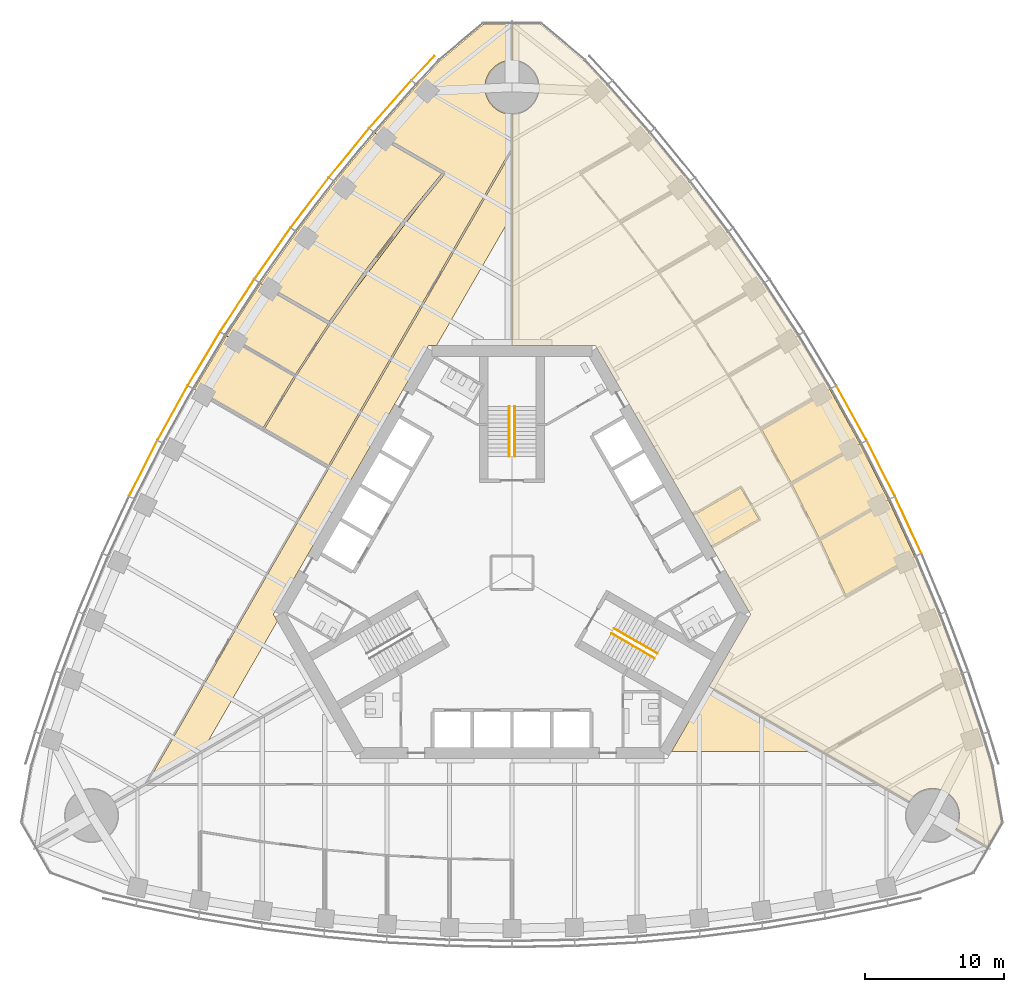
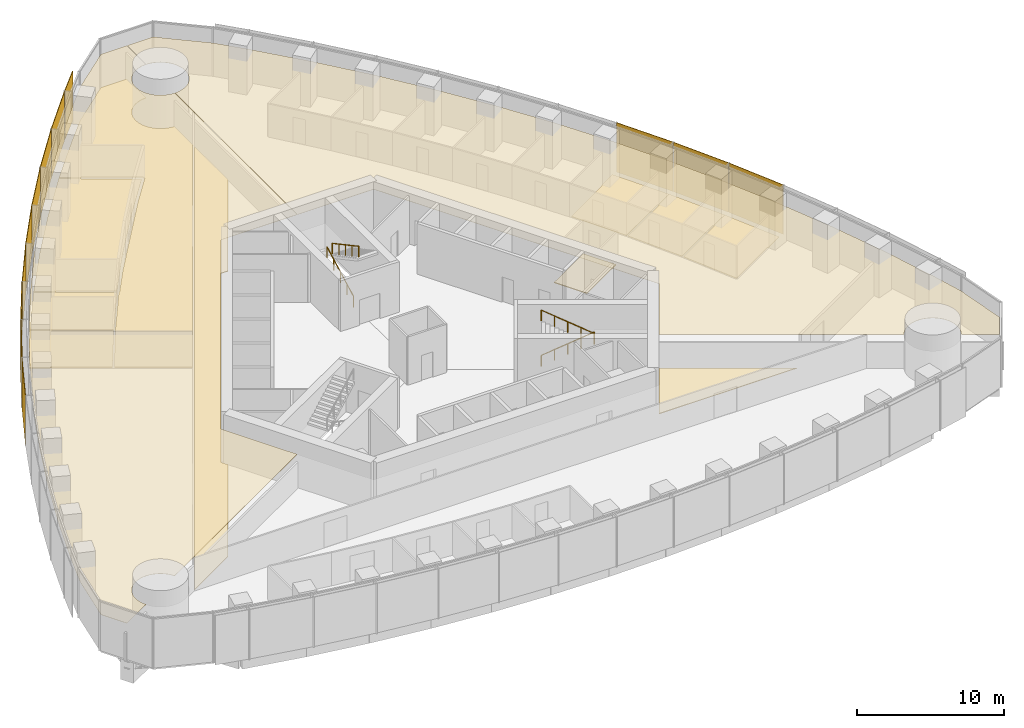
# One storey, part 16 of 19: 12 coverings, 12 shading devices, 4 railings.
"""IFC4 building model written with IfcOpenShell, lengths in metres."""

from ifc_helpers import new_model, si_unit, direction, frame, origin, origin_2d, place, context, subcontext, project, spatial, polyline, rectangle, circle, outline, extrude, material, layer, layer_set, type_object, element, save


model = new_model("IFC4")

# Units and contexts
model_context = context("Model", 3, precision=1e-05, world=origin(), true_north=direction((0.0, 1.0)))
body_context = subcontext(model_context, "Body", "Model", "MODEL_VIEW")
ifc_project = project(units=[si_unit("LENGTHUNIT", "METRE"), si_unit("AREAUNIT", "SQUARE_METRE"), si_unit("VOLUMEUNIT", "CUBIC_METRE"), si_unit("PLANEANGLEUNIT", "RADIAN"), si_unit("MASSUNIT", "GRAM", prefix="KILO")], contexts=[model_context])

# Site, building, storey
site_placement = place(None, origin())
site = spatial("IfcSite", under=ifc_project, at=site_placement, CompositionType="ELEMENT")
building_placement = place(site_placement, origin())
building = spatial("IfcBuilding", under=site, at=building_placement, Name="Trefoil Bronze Tower", CompositionType="ELEMENT")
storey_placement = place(building_placement, frame((0.0, 0.0, 136.699951171875)))
storey = spatial("IfcBuildingStorey", under=building, at=storey_placement, Name="L31", CompositionType="ELEMENT", Elevation=136.699951171875)

# Shading devices
ifc_material_1 = material(Name="Perforated bronze sheet", Category="bronze")
ifc_layer_1 = layer(ifc_material_1, 0.0400390625)
ifc_layer_set_1 = layer_set([ifc_layer_1], Name="Bronze solar screen panel")
shading_device_type = type_object("IfcShadingDeviceType", Name="Bronze solar screen panel", PredefinedType="SHUTTER", material=ifc_layer_set_1)
shading_device_1_placement = place(storey_placement, frame((28.563720703125, 3.444580078125, 0.050048828125), z_axis=(0.0, 0.0, 1.0), x_axis=(-0.419932995871, 0.907555110712, 0.0)))
element("IfcShadingDevice", 1, at=shading_device_1_placement, inside=storey, type_object=shading_device_type, Name="Solar screen CW-A L31 F2 bay 5", PredefinedType="SHUTTER", context=body_context, shape_type="SweptSolid", body=[
    extrude(rectangle(XDim=4.48828125, YDim=0.0400390625, at=origin_2d()), origin(), (0.0, 0.0, 1.0), 4.10009765625),
])
shading_device_2_placement = place(storey_placement, frame((26.5869140625, 7.52197265625, 0.050048828125), z_axis=(0.0, 0.0, 1.0), x_axis=(-0.452448919686, 0.891790320128, 0.0)))
element("IfcShadingDevice", 2, at=shading_device_2_placement, inside=storey, type_object=shading_device_type, Name="Solar screen CW-A L31 F2 bay 6", PredefinedType="SHUTTER", context=body_context, shape_type="SweptSolid", body=[
    extrude(rectangle(XDim=4.4765625, YDim=0.0400390625, at=origin_2d()), origin(), (0.0, 0.0, 1.0), 4.10009765625),
])
shading_device_3_placement = place(storey_placement, frame((24.468505859375, 11.517578125, 0.050048828125), z_axis=(0.0, 0.0, 1.0), x_axis=(-0.484312195836, 0.874895249138, 0.0)))
element("IfcShadingDevice", 3, at=shading_device_3_placement, inside=storey, type_object=shading_device_type, Name="Solar screen CW-A L31 F2 bay 7", PredefinedType="SHUTTER", context=body_context, shape_type="SweptSolid", body=[
    extrude(rectangle(XDim=4.470703125, YDim=0.0400390625, at=origin_2d()), origin(), (0.0, 0.0, 1.0), 4.10009765625),
])
shading_device_4_placement = place(storey_placement, frame((-6.416748046875, 36.383544921875, 0.050048828125), z_axis=(0.0, 0.0, 1.0), x_axis=(-0.682535770759, -0.730852188636, 0.0)))
element("IfcShadingDevice", 4, at=shading_device_4_placement, inside=storey, type_object=shading_device_type, Name="Solar screen CW-A L31 F3 bay 1", PredefinedType="SHUTTER", context=body_context, shape_type="SweptSolid", body=[
    extrude(rectangle(XDim=2.39013671875, YDim=0.0400390625, at=origin_2d()), origin(), (0.0, 0.0, 1.0), 4.10009765625),
])
shading_device_5_placement = place(storey_placement, frame((-8.77197265625, 33.766845703125, 0.050048828125), z_axis=(0.0, 0.0, 1.0), x_axis=(-0.661751405978, -0.749723333428, 0.0)))
element("IfcShadingDevice", 5, at=shading_device_5_placement, inside=storey, type_object=shading_device_type, Name="Solar screen CW-A L31 F3 bay 2", PredefinedType="SHUTTER", context=body_context, shape_type="SweptSolid", body=[
    extrude(rectangle(XDim=4.56103515625, YDim=0.0400390625, at=origin_2d()), origin(), (0.0, 0.0, 1.0), 4.10009765625),
])
shading_device_6_placement = place(storey_placement, frame((-11.7490234375, 30.26708984375, 0.050048828125), z_axis=(0.0, 0.0, 1.0), x_axis=(-0.633839916024, -0.773464259584, 0.0)))
element("IfcShadingDevice", 6, at=shading_device_6_placement, inside=storey, type_object=shading_device_type, Name="Solar screen CW-A L31 F3 bay 3", PredefinedType="SHUTTER", context=body_context, shape_type="SweptSolid", body=[
    extrude(rectangle(XDim=4.5302734375, YDim=0.0400390625, at=origin_2d()), origin(), (0.0, 0.0, 1.0), 4.10009765625),
])
shading_device_7_placement = place(storey_placement, frame((-14.579345703125, 26.6826171875, 0.050048828125), z_axis=(0.0, 0.0, 1.0), x_axis=(-0.605252319983, -0.796033685943, 0.0)))
element("IfcShadingDevice", 7, at=shading_device_7_placement, inside=storey, type_object=shading_device_type, Name="Solar screen CW-A L31 F3 bay 4", PredefinedType="SHUTTER", context=body_context, shape_type="SweptSolid", body=[
    extrude(rectangle(XDim=4.50634765625, YDim=0.0400390625, at=origin_2d()), origin(), (0.0, 0.0, 1.0), 4.10009765625),
])
shading_device_8_placement = place(storey_placement, frame((-17.264892578125, 23.014404296875, 0.050048828125), z_axis=(0.0, 0.0, 1.0), x_axis=(-0.575999283275, -0.817450197667, 0.0)))
element("IfcShadingDevice", 8, at=shading_device_8_placement, inside=storey, type_object=shading_device_type, Name="Solar screen CW-A L31 F3 bay 5", PredefinedType="SHUTTER", context=body_context, shape_type="SweptSolid", body=[
    extrude(rectangle(XDim=4.48828125, YDim=0.0400390625, at=origin_2d()), origin(), (0.0, 0.0, 1.0), 4.10009765625),
])
shading_device_9_placement = place(storey_placement, frame((-19.8076171875, 19.263916015625, 0.050048828125), z_axis=(0.0, 0.0, 1.0), x_axis=(-0.546088612237, -0.837727418427, 0.0)))
element("IfcShadingDevice", 9, at=shading_device_9_placement, inside=storey, type_object=shading_device_type, Name="Solar screen CW-A L31 F3 bay 6", PredefinedType="SHUTTER", context=body_context, shape_type="SweptSolid", body=[
    extrude(rectangle(XDim=4.4765625, YDim=0.0400390625, at=origin_2d()), origin(), (0.0, 0.0, 1.0), 4.10009765625),
])
for number, where, z_axis, x_axis, name in (
    (10, (-22.208740234375, 15.431396484375, 0.050048828125), (0.0, 0.0, 1.0), (-0.515525413486, -0.856874289526, 0.0), "Solar screen CW-A L31 F3 bay 7"),
    (11, (-24.468505859375, 11.517578125, 0.050048828125), (0.0, 0.0, 1.0), (-0.484312195836, -0.874895249138, 0.0), "Solar screen CW-A L31 F3 bay 8"),
):
    element("IfcShadingDevice", number, at=place(storey_placement, frame(where, z_axis=z_axis, x_axis=x_axis)), inside=storey, type_object=shading_device_type, Name=name, PredefinedType="SHUTTER", context=body_context, shape_type="SweptSolid", body=[
        extrude(rectangle(XDim=4.470703125, YDim=0.0400390625, at=origin_2d()), origin(), (0.0, 0.0, 1.0), 4.10009765625),
    ])
shading_device_10_placement = place(storey_placement, frame((-26.5869140625, 7.52197265625, 0.050048828125), z_axis=(0.0, 0.0, 1.0), x_axis=(-0.452448919686, -0.891790320128, 0.0)))
element("IfcShadingDevice", 12, at=shading_device_10_placement, inside=storey, type_object=shading_device_type, Name="Solar screen CW-A L31 F3 bay 9", PredefinedType="SHUTTER", context=body_context, shape_type="SweptSolid", body=[
    extrude(rectangle(XDim=4.4765625, YDim=0.0400390625, at=origin_2d()), origin(), (0.0, 0.0, 1.0), 4.10009765625),
])

# Railings
ifc_material_2 = material(Name="Steel handrail", Category="steel")
railing_type = type_object("IfcRailingType", Name="Handrail 900", PredefinedType="HANDRAIL", material=ifc_material_2)
railing_1_placement = place(storey_placement, frame((7.365966796875, -4.021728515625, 0.16162109375)))
element("IfcRailing", 13, at=railing_1_placement, inside=storey, type_object=railing_type, Name="Handrail ST1 flight 1 L31", PredefinedType="HANDRAIL", context=body_context, shape_type="SweptSolid", body=[
    extrude(circle(Radius=0.02392578125, at=origin_2d()), frame((0.0, 0.0, 0.8759765625), z_axis=(0.76250339821, -0.440245697338, 0.474101564745), x_axis=(0.500012057535, 0.866018442252, 0.0)), (0.0, 0.0, 1.0), 4.088623046875),
    extrude(circle(Radius=0.02099609375, at=origin_2d()), origin(), (0.0, 0.0, 1.0), 0.851806640625),
    extrude(circle(Radius=0.02099609375, at=origin_2d()), frame((0.779296875, -0.449951171875, 0.484619140625)), (0.0, 0.0, 1.0), 0.851806640625),
    extrude(circle(Radius=0.02099609375, at=origin_2d()), frame((1.558837890625, -0.89990234375, 0.96923828125)), (0.0, 0.0, 1.0), 0.851806640625),
    extrude(circle(Radius=0.02099609375, at=origin_2d()), frame((2.33837890625, -1.35009765625, 1.453857421875)), (0.0, 0.0, 1.0), 0.851806640625),
    extrude(circle(Radius=0.02099609375, at=origin_2d()), frame((3.11767578125, -1.800048828125, 1.9384765625)), (0.0, 0.0, 1.0), 0.851806640625),
])
railing_2_placement = place(storey_placement, frame((10.28369140625, -6.168212890625, 2.261474609375)))
element("IfcRailing", 14, at=railing_2_placement, inside=storey, type_object=railing_type, Name="Handrail ST1 flight 2 L31", PredefinedType="HANDRAIL", context=body_context, shape_type="SweptSolid", body=[
    extrude(circle(Radius=0.02392578125, at=origin_2d()), frame((0.0, 0.0, 0.8759765625), z_axis=(-0.76250339821, 0.440245697338, 0.474101564745), x_axis=(-0.500012057535, -0.866018442252, 0.0)), (0.0, 0.0, 1.0), 4.088623046875),
    extrude(circle(Radius=0.02099609375, at=origin_2d()), origin(), (0.0, 0.0, 1.0), 0.851806640625),
    extrude(circle(Radius=0.02099609375, at=origin_2d()), frame((-0.779296875, 0.449951171875, 0.484619140625)), (0.0, 0.0, 1.0), 0.851806640625),
    extrude(circle(Radius=0.02099609375, at=origin_2d()), frame((-1.558837890625, 0.89990234375, 0.96923828125)), (0.0, 0.0, 1.0), 0.851806640625),
    extrude(circle(Radius=0.02099609375, at=origin_2d()), frame((-2.33837890625, 1.35009765625, 1.453857421875)), (0.0, 0.0, 1.0), 0.851806640625),
    extrude(circle(Radius=0.02099609375, at=origin_2d()), frame((-3.11767578125, 1.800048828125, 1.9384765625)), (0.0, 0.0, 1.0), 0.851806640625),
])
railing_3_placement = place(storey_placement, frame((-0.199951171875, 8.389892578125, 0.16162109375)))
element("IfcRailing", 15, at=railing_3_placement, inside=storey, type_object=railing_type, Name="Handrail ST2 flight 1 L31", PredefinedType="HANDRAIL", context=body_context, shape_type="SweptSolid", body=[
    extrude(circle(Radius=0.02392578125, at=origin_2d()), frame((0.0, 0.0, 0.8759765625), z_axis=(0.0, 0.880474934443, 0.474092701714), x_axis=(-1.0, 0.0, 0.0)), (0.0, 0.0, 1.0), 4.0888671875),
    extrude(circle(Radius=0.02099609375, at=origin_2d()), origin(), (0.0, 0.0, 1.0), 0.851806640625),
    extrude(circle(Radius=0.02099609375, at=origin_2d()), frame((0.0, 0.89990234375, 0.484619140625)), (0.0, 0.0, 1.0), 0.851806640625),
    extrude(circle(Radius=0.02099609375, at=origin_2d()), frame((0.0, 1.800048828125, 0.96923828125)), (0.0, 0.0, 1.0), 0.851806640625),
    extrude(circle(Radius=0.02099609375, at=origin_2d()), frame((0.0, 2.7001953125, 1.453857421875)), (0.0, 0.0, 1.0), 0.851806640625),
    extrude(circle(Radius=0.02099609375, at=origin_2d()), frame((0.0, 3.60009765625, 1.9384765625)), (0.0, 0.0, 1.0), 0.851806640625),
])
railing_4_placement = place(storey_placement, frame((0.199951171875, 11.989990234375, 2.261474609375)))
element("IfcRailing", 16, at=railing_4_placement, inside=storey, type_object=railing_type, Name="Handrail ST2 flight 2 L31", PredefinedType="HANDRAIL", context=body_context, shape_type="SweptSolid", body=[
    extrude(circle(Radius=0.02392578125, at=origin_2d()), frame((0.0, 0.0, 0.8759765625), z_axis=(0.0, -0.880474934443, 0.474092701714), x_axis=(1.0, 0.0, 0.0)), (0.0, 0.0, 1.0), 4.0888671875),
    extrude(circle(Radius=0.02099609375, at=origin_2d()), origin(), (0.0, 0.0, 1.0), 0.851806640625),
    extrude(circle(Radius=0.02099609375, at=origin_2d()), frame((0.0, -0.89990234375, 0.484619140625)), (0.0, 0.0, 1.0), 0.851806640625),
    extrude(circle(Radius=0.02099609375, at=origin_2d()), frame((0.0, -1.800048828125, 0.96923828125)), (0.0, 0.0, 1.0), 0.851806640625),
    extrude(circle(Radius=0.02099609375, at=origin_2d()), frame((0.0, -2.7001953125, 1.453857421875)), (0.0, 0.0, 1.0), 0.851806640625),
    extrude(circle(Radius=0.02099609375, at=origin_2d()), frame((0.0, -3.60009765625, 1.9384765625)), (0.0, 0.0, 1.0), 0.851806640625),
])

# Coverings
ifc_material_3 = material(Name="Acoustic ceiling panels", Category="mineral fibre")
ifc_layer_2 = layer(ifc_material_3, 0.02001953125)
ifc_layer_set_2 = layer_set([ifc_layer_2], Name="Office ceiling 20")
covering_type_1 = type_object("IfcCoveringType", Name="Office ceiling 20", PredefinedType="CEILING", material=ifc_layer_set_2)
covering_1_placement = place(storey_placement, frame((0.0, 0.0, 2.900146484375)))
element("IfcCovering", 17, at=covering_1_placement, inside=storey, type_object=covering_type_1, Name="Ceiling L31 Open-plan office F2", PredefinedType="CEILING", context=body_context, shape_type="SweptSolid", body=[
    extrude(outline(polyline([(6.847900390625, 35.130615234375), (9.885986328125, 31.6884765625), (12.776611328125, 28.1611328125), (15.522216796875, 24.55029296875), (18.124755859375, 20.856689453125), (20.585693359375, 17.081298828125), (22.906005859375, 13.224853515625), (25.085693359375, 9.287109375), (27.124755859375, 5.268310546875), (29.022216796875, 1.16748046875), (30.776611328125, -3.015625), (32.385986328125, -7.28271484375), (33.847900390625, -11.634765625), (34.5537109375, -13.94970703125), (35.2666015625, -17.99169921875), (34.247802734375, -19.755859375), (32.006103515625, -18.462646484375), (32.030517578125, -18.419189453125), (32.07373046875, -18.333740234375), (32.112548828125, -18.24609375), (32.14697265625, -18.156982421875), (32.177001953125, -18.066162109375), (32.202392578125, -17.973876953125), (32.223388671875, -17.88037109375), (32.23974609375, -17.7861328125), (32.25146484375, -17.691162109375), (32.258544921875, -17.595703125), (32.260986328125, -17.5), (32.258544921875, -17.404296875), (32.25146484375, -17.308837890625), (32.23974609375, -17.2138671875), (32.223388671875, -17.11962890625), (32.202392578125, -17.026123046875), (32.177001953125, -16.933837890625), (32.14697265625, -16.843017578125), (32.112548828125, -16.75390625), (32.07373046875, -16.666259765625), (32.030517578125, -16.580810546875), (31.9833984375, -16.49755859375), (31.932373046875, -16.41650390625), (31.877197265625, -16.33837890625), (31.818359375, -16.262939453125), (31.755615234375, -16.1904296875), (31.689697265625, -16.12109375), (31.620361328125, -16.05517578125), (31.548095703125, -15.99267578125), (31.472412109375, -15.93359375), (31.394287109375, -15.878662109375), (31.3134765625, -15.827392578125), (31.22998046875, -15.7802734375), (31.14453125, -15.7373046875), (31.05712890625, -15.698486328125), (30.9677734375, -15.6640625), (30.876953125, -15.634033203125), (30.78466796875, -15.6083984375), (30.69140625, -15.58740234375), (30.596923828125, -15.571044921875), (30.501953125, -15.559326171875), (30.406494140625, -15.55224609375), (30.310791015625, -15.550048828125), (30.215087890625, -15.55224609375), (30.119873046875, -15.559326171875), (30.02490234375, -15.571044921875), (29.930419921875, -15.58740234375), (29.837158203125, -15.6083984375), (29.744873046875, -15.634033203125), (29.654052734375, -15.6640625), (29.564697265625, -15.698486328125), (29.477294921875, -15.7373046875), (29.3916015625, -15.7802734375), (29.308349609375, -15.827392578125), (29.2275390625, -15.878662109375), (29.1494140625, -15.93359375), (29.07373046875, -15.99267578125), (29.001220703125, -16.05517578125), (28.931884765625, -16.12109375), (28.865966796875, -16.1904296875), (28.803466796875, -16.262939453125), (28.74462890625, -16.33837890625), (28.689453125, -16.41650390625), (28.628662109375, -16.514404296875), (14.205810546875, -8.194580078125), (17.205078125, -3.0), (6.00439453125, 16.39990234375), (0.006103515625, 16.39990234375), (0.012451171875, 33.05029296875), (0.095703125, 33.05224609375), (0.191162109375, 33.059326171875), (0.2861328125, 33.071044921875), (0.38037109375, 33.08740234375), (0.473876953125, 33.1083984375), (0.566162109375, 33.134033203125), (0.656982421875, 33.1640625), (0.74609375, 33.198486328125), (0.833740234375, 33.2373046875), (0.919189453125, 33.2802734375), (1.00244140625, 33.327392578125), (1.08349609375, 33.378662109375), (1.16162109375, 33.43359375), (1.237060546875, 33.49267578125), (1.3095703125, 33.55517578125), (1.37890625, 33.62109375), (1.44482421875, 33.6904296875), (1.50732421875, 33.762939453125), (1.56640625, 33.83837890625), (1.621337890625, 33.91650390625), (1.672607421875, 33.99755859375), (1.7197265625, 34.080810546875), (1.7626953125, 34.166259765625), (1.801513671875, 34.25390625), (1.8359375, 34.343017578125), (1.865966796875, 34.433837890625), (1.8916015625, 34.526123046875), (1.91259765625, 34.61962890625), (1.928955078125, 34.7138671875), (1.940673828125, 34.808837890625), (1.94775390625, 34.904296875), (1.949951171875, 35.0), (1.94775390625, 35.095703125), (1.940673828125, 35.191162109375), (1.928955078125, 35.2861328125), (1.91259765625, 35.38037109375), (1.8916015625, 35.473876953125), (1.865966796875, 35.566162109375), (1.8359375, 35.656982421875), (1.801513671875, 35.74609375), (1.7626953125, 35.833740234375), (1.7197265625, 35.919189453125), (1.672607421875, 36.00244140625), (1.621337890625, 36.08349609375), (1.56640625, 36.16162109375), (1.50732421875, 36.237060546875), (1.44482421875, 36.3095703125), (1.37890625, 36.37890625), (1.3095703125, 36.44482421875), (1.237060546875, 36.50732421875), (1.16162109375, 36.56640625), (1.08349609375, 36.621337890625), (1.00244140625, 36.672607421875), (0.919189453125, 36.7197265625), (0.833740234375, 36.7626953125), (0.74609375, 36.801513671875), (0.656982421875, 36.8359375), (0.566162109375, 36.865966796875), (0.473876953125, 36.8916015625), (0.38037109375, 36.91259765625), (0.2861328125, 36.928955078125), (0.191162109375, 36.940673828125), (0.095703125, 36.94775390625), (0.013916015625, 36.94970703125), (0.014892578125, 39.53759765625), (2.052001953125, 39.53759765625), (5.1962890625, 36.8994140625), (6.847900390625, 35.130615234375)])), origin(), (0.0, 0.0, 1.0), 0.02001953125),
])
covering_2_placement = place(storey_placement, frame((0.0, 0.0, 2.900146484375)))
element("IfcCovering", 18, at=covering_2_placement, inside=storey, type_object=covering_type_1, Name="Ceiling L31 Open-plan office F3", PredefinedType="CEILING", context=body_context, shape_type="SweptSolid", body=[
    extrude(outline(polyline([(-33.847900390625, -11.634765625), (-32.385986328125, -7.28271484375), (-30.776611328125, -3.015625), (-29.022216796875, 1.16748046875), (-27.124755859375, 5.268310546875), (-25.085693359375, 9.287109375), (-22.906005859375, 13.224853515625), (-20.585693359375, 17.081298828125), (-18.124755859375, 20.856689453125), (-15.522216796875, 24.55029296875), (-12.776611328125, 28.1611328125), (-9.885986328125, 31.6884765625), (-6.847900390625, 35.130615234375), (-5.1962890625, 36.8994140625), (-2.052001953125, 39.53759765625), (-0.014892578125, 39.53759765625), (-0.013916015625, 36.94970703125), (-0.095703125, 36.94775390625), (-0.191162109375, 36.940673828125), (-0.2861328125, 36.928955078125), (-0.38037109375, 36.91259765625), (-0.473876953125, 36.8916015625), (-0.566162109375, 36.865966796875), (-0.656982421875, 36.8359375), (-0.74609375, 36.801513671875), (-0.833740234375, 36.7626953125), (-0.919189453125, 36.7197265625), (-1.00244140625, 36.672607421875), (-1.08349609375, 36.621337890625), (-1.16162109375, 36.56640625), (-1.237060546875, 36.50732421875), (-1.3095703125, 36.44482421875), (-1.37890625, 36.37890625), (-1.44482421875, 36.3095703125), (-1.50732421875, 36.237060546875), (-1.56640625, 36.16162109375), (-1.621337890625, 36.08349609375), (-1.672607421875, 36.00244140625), (-1.7197265625, 35.919189453125), (-1.7626953125, 35.833740234375), (-1.801513671875, 35.74609375), (-1.8359375, 35.656982421875), (-1.865966796875, 35.566162109375), (-1.8916015625, 35.473876953125), (-1.91259765625, 35.38037109375), (-1.928955078125, 35.2861328125), (-1.940673828125, 35.191162109375), (-1.94775390625, 35.095703125), (-1.949951171875, 35.0), (-1.94775390625, 34.904296875), (-1.940673828125, 34.808837890625), (-1.928955078125, 34.7138671875), (-1.91259765625, 34.61962890625), (-1.8916015625, 34.526123046875), (-1.865966796875, 34.433837890625), (-1.8359375, 34.343017578125), (-1.801513671875, 34.25390625), (-1.7626953125, 34.166259765625), (-1.7197265625, 34.080810546875), (-1.672607421875, 33.99755859375), (-1.621337890625, 33.91650390625), (-1.56640625, 33.83837890625), (-1.50732421875, 33.762939453125), (-1.44482421875, 33.6904296875), (-1.37890625, 33.62109375), (-1.3095703125, 33.55517578125), (-1.237060546875, 33.49267578125), (-1.16162109375, 33.43359375), (-1.08349609375, 33.378662109375), (-1.00244140625, 33.327392578125), (-0.919189453125, 33.2802734375), (-0.833740234375, 33.2373046875), (-0.74609375, 33.198486328125), (-0.656982421875, 33.1640625), (-0.566162109375, 33.134033203125), (-0.473876953125, 33.1083984375), (-0.38037109375, 33.08740234375), (-0.2861328125, 33.071044921875), (-0.191162109375, 33.059326171875), (-0.095703125, 33.05224609375), (-0.012451171875, 33.05029296875), (-0.006103515625, 16.39990234375), (-6.00439453125, 16.39990234375), (-17.205078125, -3.0), (-14.205810546875, -8.194580078125), (-28.628662109375, -16.514404296875), (-28.689453125, -16.41650390625), (-28.74462890625, -16.33837890625), (-28.803466796875, -16.262939453125), (-28.865966796875, -16.1904296875), (-28.931884765625, -16.12109375), (-29.001220703125, -16.05517578125), (-29.07373046875, -15.99267578125), (-29.1494140625, -15.93359375), (-29.2275390625, -15.878662109375), (-29.308349609375, -15.827392578125), (-29.3916015625, -15.7802734375), (-29.477294921875, -15.7373046875), (-29.564697265625, -15.698486328125), (-29.654052734375, -15.6640625), (-29.744873046875, -15.634033203125), (-29.837158203125, -15.6083984375), (-29.930419921875, -15.58740234375), (-30.02490234375, -15.571044921875), (-30.119873046875, -15.559326171875), (-30.215087890625, -15.55224609375), (-30.310791015625, -15.550048828125), (-30.406494140625, -15.55224609375), (-30.501953125, -15.559326171875), (-30.596923828125, -15.571044921875), (-30.69140625, -15.58740234375), (-30.78466796875, -15.6083984375), (-30.876953125, -15.634033203125), (-30.9677734375, -15.6640625), (-31.05712890625, -15.698486328125), (-31.14453125, -15.7373046875), (-31.22998046875, -15.7802734375), (-31.3134765625, -15.827392578125), (-31.394287109375, -15.878662109375), (-31.472412109375, -15.93359375), (-31.548095703125, -15.99267578125), (-31.620361328125, -16.05517578125), (-31.689697265625, -16.12109375), (-31.755615234375, -16.1904296875), (-31.818359375, -16.262939453125), (-31.877197265625, -16.33837890625), (-31.932373046875, -16.41650390625), (-31.9833984375, -16.49755859375), (-32.030517578125, -16.580810546875), (-32.07373046875, -16.666259765625), (-32.112548828125, -16.75390625), (-32.14697265625, -16.843017578125), (-32.177001953125, -16.933837890625), (-32.202392578125, -17.026123046875), (-32.223388671875, -17.11962890625), (-32.23974609375, -17.2138671875), (-32.25146484375, -17.308837890625), (-32.258544921875, -17.404296875), (-32.260986328125, -17.5), (-32.258544921875, -17.595703125), (-32.25146484375, -17.691162109375), (-32.23974609375, -17.7861328125), (-32.223388671875, -17.88037109375), (-32.202392578125, -17.973876953125), (-32.177001953125, -18.066162109375), (-32.14697265625, -18.156982421875), (-32.112548828125, -18.24609375), (-32.07373046875, -18.333740234375), (-32.030517578125, -18.419189453125), (-32.006103515625, -18.462646484375), (-34.247802734375, -19.755859375), (-35.2666015625, -17.99169921875), (-34.5537109375, -13.94970703125), (-33.847900390625, -11.634765625)])), origin(), (0.0, 0.0, 1.0), 0.02001953125),
])
ifc_material_4 = material(Name="Raised access floor panels", Category="steel")
ifc_layer_3 = layer(ifc_material_4, 0.050048828125)
ifc_layer_set_3 = layer_set([ifc_layer_3], Name="Raised access floor 150")
covering_type_2 = type_object("IfcCoveringType", Name="Raised access floor 150", PredefinedType="FLOORING", material=ifc_layer_set_3)
covering_3_placement = place(storey_placement, frame((0.0, 0.0, 0.10009765625)))
element("IfcCovering", 19, at=covering_3_placement, inside=storey, type_object=covering_type_2, Name="Raised floor L31 Open-plan office F1", PredefinedType="FLOORING", context=body_context, shape_type="SweptSolid", body=[
    extrude(outline(polyline([(14.19970703125, -8.205322265625), (22.32421875, -12.89990234375), (11.4892578125, -12.89990234375), (14.19970703125, -8.205322265625)])), origin(), (0.0, 0.0, 1.0), 0.050048828125),
])
covering_4_placement = place(storey_placement, frame((0.0, 0.0, 0.10009765625)))
element("IfcCovering", 20, at=covering_4_placement, inside=storey, type_object=covering_type_2, Name="Raised floor L31 Pantry F2", PredefinedType="FLOORING", context=body_context, shape_type="SweptSolid", body=[
    extrude(outline(polyline([(13.084716796875, 4.13671875), (16.496826171875, 6.106689453125), (17.786865234375, 3.872314453125), (14.374755859375, 1.902099609375), (13.084716796875, 4.13671875)])), origin(), (0.0, 0.0, 1.0), 0.050048828125),
])
covering_5_placement = place(storey_placement, frame((0.0, 0.0, 0.10009765625)))
element("IfcCovering", 21, at=covering_5_placement, inside=storey, type_object=covering_type_2, Name="Raised floor L31 Office F2", PredefinedType="FLOORING", context=body_context, shape_type="SweptSolid", body=[
    extrude(outline(polyline([(22.906005859375, 13.224853515625), (25.085693359375, 9.287109375), (23.80322265625, 8.546630859375), (23.773193359375, 8.5986328125), (20.129150390625, 6.49462890625), (18.007568359375, 10.327392578125), (21.654296875, 12.432861328125), (21.62451171875, 12.48486328125), (22.906005859375, 13.224853515625)])), origin(), (0.0, 0.0, 1.0), 0.050048828125),
])
covering_6_placement = place(storey_placement, frame((0.0, 0.0, 0.10009765625)))
element("IfcCovering", 22, at=covering_6_placement, inside=storey, type_object=covering_type_2, Name="Raised floor L31 Office F2", PredefinedType="FLOORING", context=body_context, shape_type="SweptSolid", body=[
    extrude(outline(polyline([(25.085693359375, 9.287109375), (27.124755859375, 5.268310546875), (25.83984375, 4.5263671875), (25.809814453125, 4.578369140625), (22.170166015625, 2.476806640625), (20.185302734375, 6.388671875), (23.833251953125, 8.49462890625), (23.80322265625, 8.546630859375), (25.085693359375, 9.287109375)])), origin(), (0.0, 0.0, 1.0), 0.050048828125),
])
covering_7_placement = place(storey_placement, frame((0.0, 0.0, 0.10009765625)))
element("IfcCovering", 23, at=covering_7_placement, inside=storey, type_object=covering_type_2, Name="Raised floor L31 Office F2", PredefinedType="FLOORING", context=body_context, shape_type="SweptSolid", body=[
    extrude(outline(polyline([(27.124755859375, 5.268310546875), (29.022216796875, 1.16748046875), (27.73291015625, 0.423095703125), (27.702880859375, 0.47509765625), (24.069580078125, -1.62255859375), (22.22265625, 2.36865234375), (25.869873046875, 4.474365234375), (25.83984375, 4.5263671875), (27.124755859375, 5.268310546875)])), origin(), (0.0, 0.0, 1.0), 0.050048828125),
])
covering_8_placement = place(storey_placement, frame((0.0, 0.0, 0.10009765625)))
element("IfcCovering", 24, at=covering_8_placement, inside=storey, type_object=covering_type_2, Name="Raised floor L31 Training room F3", PredefinedType="FLOORING", context=body_context, shape_type="SweptSolid", body=[
    extrude(outline(polyline([(-12.776611328125, 28.1611328125), (-9.885986328125, 31.6884765625), (-8.583251953125, 30.936279296875), (-8.63330078125, 30.849609375), (-5.05859375, 28.785888671875), (-7.87451171875, 25.349609375), (-7.797119140625, 25.2861328125), (-7.876708984375, 25.3466796875), (-10.622314453125, 21.73583984375), (-10.54248046875, 21.67529296875), (-10.62451171875, 21.73291015625), (-13.17431640625, 18.114013671875), (-16.789794921875, 20.201416015625), (-16.83984375, 20.11474609375), (-18.124755859375, 20.856689453125), (-15.522216796875, 24.55029296875), (-12.776611328125, 28.1611328125)])), origin(), (0.0, 0.0, 1.0), 0.050048828125),
])
covering_9_placement = place(storey_placement, frame((0.0, 0.0, 0.10009765625)))
element("IfcCovering", 25, at=covering_9_placement, inside=storey, type_object=covering_type_2, Name="Raised floor L31 Meeting room F3", PredefinedType="FLOORING", context=body_context, shape_type="SweptSolid", body=[
    extrude(outline(polyline([(-18.124755859375, 20.856689453125), (-16.83984375, 20.11474609375), (-16.889892578125, 20.0283203125), (-13.251953125, 17.927734375), (-15.62548828125, 14.286865234375), (-19.273193359375, 16.392822265625), (-19.30322265625, 16.3408203125), (-20.585693359375, 17.081298828125), (-18.124755859375, 20.856689453125)])), origin(), (0.0, 0.0, 1.0), 0.050048828125),
])
covering_10_placement = place(storey_placement, frame((0.0, 0.0, 0.10009765625)))
element("IfcCovering", 26, at=covering_10_placement, inside=storey, type_object=covering_type_2, Name="Raised floor L31 Meeting room F3", PredefinedType="FLOORING", context=body_context, shape_type="SweptSolid", body=[
    extrude(outline(polyline([(-22.906005859375, 13.224853515625), (-20.585693359375, 17.081298828125), (-19.30322265625, 16.3408203125), (-19.333251953125, 16.2890625), (-15.689208984375, 14.18505859375), (-17.939697265625, 10.444091796875), (-21.5869140625, 12.5498046875), (-21.62451171875, 12.48486328125), (-22.906005859375, 13.224853515625)])), origin(), (0.0, 0.0, 1.0), 0.050048828125),
])
covering_11_placement = place(storey_placement, frame((0.0, 0.0, 0.10009765625)))
element("IfcCovering", 27, at=covering_11_placement, inside=storey, type_object=covering_type_2, Name="Raised floor L31 Corridor F3", PredefinedType="FLOORING", context=body_context, shape_type="SweptSolid", body=[
    extrude(outline(polyline([(-0.011474609375, 30.38037109375), (-0.009765625, 25.783203125), (-5.427001953125, 16.39990234375), (-6.00439453125, 16.39990234375), (-17.205078125, -3.0), (-16.91650390625, -3.5), (-22.333740234375, -12.88330078125), (-26.31591796875, -15.180419921875), (-0.011474609375, 30.38037109375)])), origin(), (0.0, 0.0, 1.0), 0.050048828125),
])
covering_12_placement = place(storey_placement, frame((0.0, 0.0, 0.10009765625)))
element("IfcCovering", 28, at=covering_12_placement, inside=storey, type_object=covering_type_2, Name="Raised floor L31 Open-plan office F3", PredefinedType="FLOORING", context=body_context, shape_type="SweptSolid", body=[
    extrude(outline(polyline([(-6.847900390625, 35.130615234375), (-5.1962890625, 36.8994140625), (-2.052001953125, 39.53759765625), (-0.014892578125, 39.53759765625), (-0.013916015625, 36.94970703125), (-0.095703125, 36.94775390625), (-0.191162109375, 36.940673828125), (-0.2861328125, 36.928955078125), (-0.38037109375, 36.91259765625), (-0.473876953125, 36.8916015625), (-0.566162109375, 36.865966796875), (-0.656982421875, 36.8359375), (-0.74609375, 36.801513671875), (-0.833740234375, 36.7626953125), (-0.919189453125, 36.7197265625), (-1.00244140625, 36.672607421875), (-1.08349609375, 36.621337890625), (-1.16162109375, 36.56640625), (-1.237060546875, 36.50732421875), (-1.3095703125, 36.44482421875), (-1.37890625, 36.37890625), (-1.44482421875, 36.3095703125), (-1.50732421875, 36.237060546875), (-1.56640625, 36.16162109375), (-1.621337890625, 36.08349609375), (-1.672607421875, 36.00244140625), (-1.7197265625, 35.919189453125), (-1.7626953125, 35.833740234375), (-1.801513671875, 35.74609375), (-1.8359375, 35.656982421875), (-1.865966796875, 35.566162109375), (-1.8916015625, 35.473876953125), (-1.91259765625, 35.38037109375), (-1.928955078125, 35.2861328125), (-1.940673828125, 35.191162109375), (-1.94775390625, 35.095703125), (-1.949951171875, 35.0), (-1.94775390625, 34.904296875), (-1.940673828125, 34.808837890625), (-1.928955078125, 34.7138671875), (-1.91259765625, 34.61962890625), (-1.8916015625, 34.526123046875), (-1.865966796875, 34.433837890625), (-1.8359375, 34.343017578125), (-1.801513671875, 34.25390625), (-1.7626953125, 34.166259765625), (-1.7197265625, 34.080810546875), (-1.672607421875, 33.99755859375), (-1.621337890625, 33.91650390625), (-1.56640625, 33.83837890625), (-1.50732421875, 33.762939453125), (-1.44482421875, 33.6904296875), (-1.37890625, 33.62109375), (-1.3095703125, 33.55517578125), (-1.237060546875, 33.49267578125), (-1.16162109375, 33.43359375), (-1.08349609375, 33.378662109375), (-1.00244140625, 33.327392578125), (-0.919189453125, 33.2802734375), (-0.833740234375, 33.2373046875), (-0.74609375, 33.198486328125), (-0.656982421875, 33.1640625), (-0.566162109375, 33.134033203125), (-0.473876953125, 33.1083984375), (-0.38037109375, 33.08740234375), (-0.2861328125, 33.071044921875), (-0.191162109375, 33.059326171875), (-0.095703125, 33.05224609375), (-0.012451171875, 33.05029296875), (-0.011474609375, 30.488525390625), (-0.068359375, 30.521484375), (-13.22998046875, 7.72509765625), (-17.835693359375, 10.384033203125), (-15.555419921875, 14.174560546875), (-13.09619140625, 17.947021484375), (-13.0634765625, 17.924072265625), (-11.48291015625, 20.167236328125), (-6.57666015625, 26.617919921875), (-4.8291015625, 28.75), (-4.906494140625, 28.8134765625), (-4.8564453125, 28.900146484375), (-8.533203125, 31.02294921875), (-8.583251953125, 30.936279296875), (-9.885986328125, 31.6884765625), (-6.847900390625, 35.130615234375)])), origin(), (0.0, 0.0, 1.0), 0.050048828125),
])

save(model, "model.ifc")
